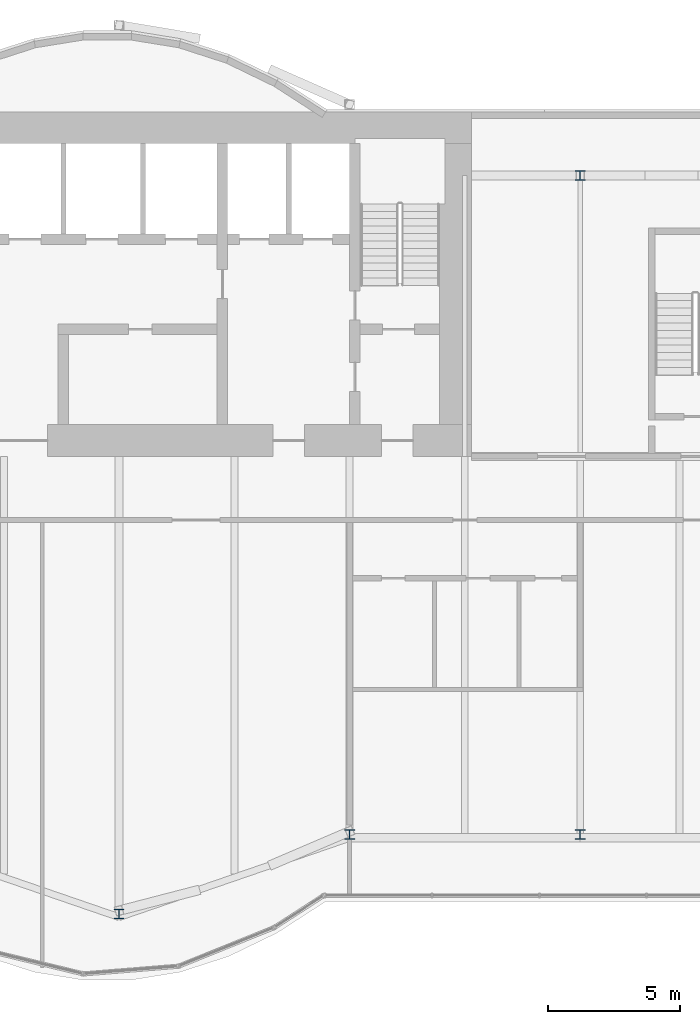
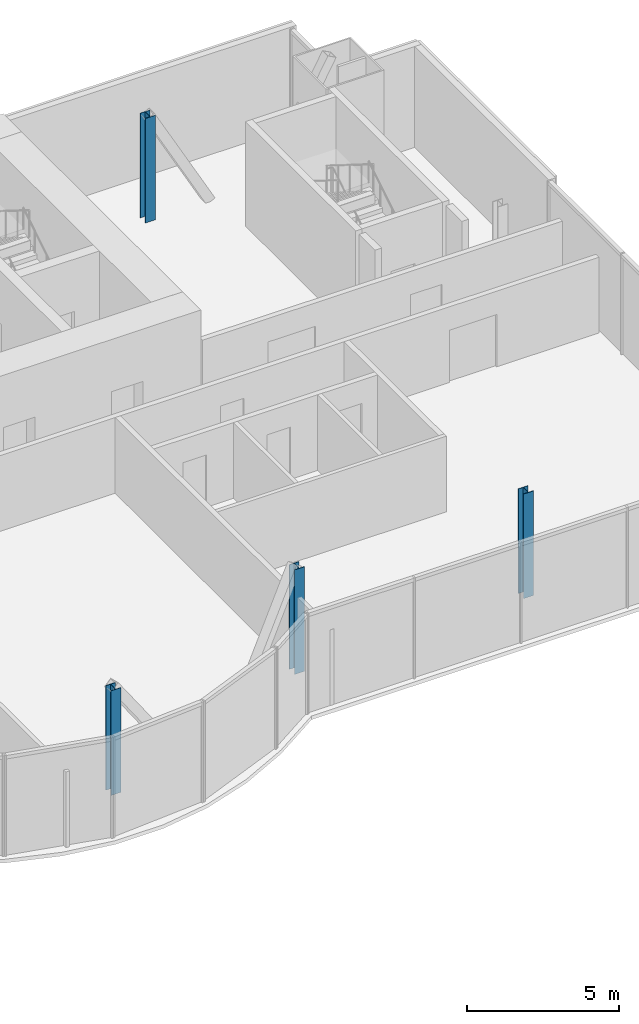
# One storey, part 2 of 20: 4 columns.
"""IFC4 building model written with IfcOpenShell, lengths in metres."""

from ifc_helpers import new_model, si_unit, direction, frame, origin, origin_2d, place, context, subcontext, project, spatial, i_section, extrude, material, material_profile, profile_set, type_object, element, save


model = new_model("IFC4")

# Units and contexts
model_context = context("Model", 3, precision=1e-05, world=origin(), true_north=direction((0.0, 1.0)))
body_context = subcontext(model_context, "Body", "Model", "MODEL_VIEW")
ifc_project = project(units=[si_unit("LENGTHUNIT", "METRE"), si_unit("AREAUNIT", "SQUARE_METRE"), si_unit("VOLUMEUNIT", "CUBIC_METRE"), si_unit("PLANEANGLEUNIT", "RADIAN"), si_unit("MASSUNIT", "GRAM", prefix="KILO")], contexts=[model_context])

# Site, building, storey
site_placement = place(None, origin())
site = spatial("IfcSite", under=ifc_project, at=site_placement, CompositionType="ELEMENT")
building_placement = place(site_placement, origin())
building = spatial("IfcBuilding", under=site, at=building_placement, Name="Bicima Exchange Tower", CompositionType="ELEMENT")
storey_placement = place(building_placement, frame((0.0, 0.0, 249.800048828125)))
storey = spatial("IfcBuildingStorey", under=building, at=storey_placement, Name="L56", CompositionType="ELEMENT", Elevation=249.800048828125)

# Columns
ifc_material = material(Name="Steel ASTM A992 Gr 50", Category="steel")
ifc_material_profile = material_profile(ifc_material, i_section(OverallWidth=0.370849609375, OverallDepth=0.36328125, WebThickness=0.013427734375, FlangeThickness=0.021728515625, at=origin_2d()))
ifc_profile_set = profile_set([ifc_material_profile], Name="Steel ASTM A992 Gr 50")
column_type = type_object("IfcColumnType", Name="Perimeter column W14x109", PredefinedType="COLUMN", material=ifc_profile_set)
for number, where, z_axis, x_axis, name in (
    (1, (8.699951171875, -30.26904296875, 0.0), (0.0, 0.0, 1.0), (1.0, 0.0, 0.0), "Perimeter column grav+8.7f"),
    (2, (17.39990234375, -27.278076171875, 0.0), (0.0, 0.0, 1.0), (1.0, 0.0, 0.0), "Perimeter column grav+17.4f"),
    (3, (26.10009765625, -27.278076171875, 0.0), (0.0, 0.0, 1.0), (1.0, 0.0, 0.0), "Perimeter column grav+26.1f"),
    (4, (26.10009765625, -2.39990234375, 0.0), (0.0, 0.0, 1.0), (1.0, 0.0, 0.0), "Perimeter column grav+26.1r"),
):
    element("IfcColumn", number, at=place(storey_placement, frame(where, z_axis=z_axis, x_axis=x_axis)), inside=storey, type_object=column_type, Name=name, PredefinedType="COLUMN", context=body_context, shape_type="SweptSolid", body=[
        extrude(i_section(OverallWidth=0.370849609375, OverallDepth=0.36328125, WebThickness=0.013427734375, FlangeThickness=0.021728515625, at=origin_2d()), origin(), (0.0, 0.0, 1.0), 4.199951171875),
    ])

save(model, "model.ifc")
